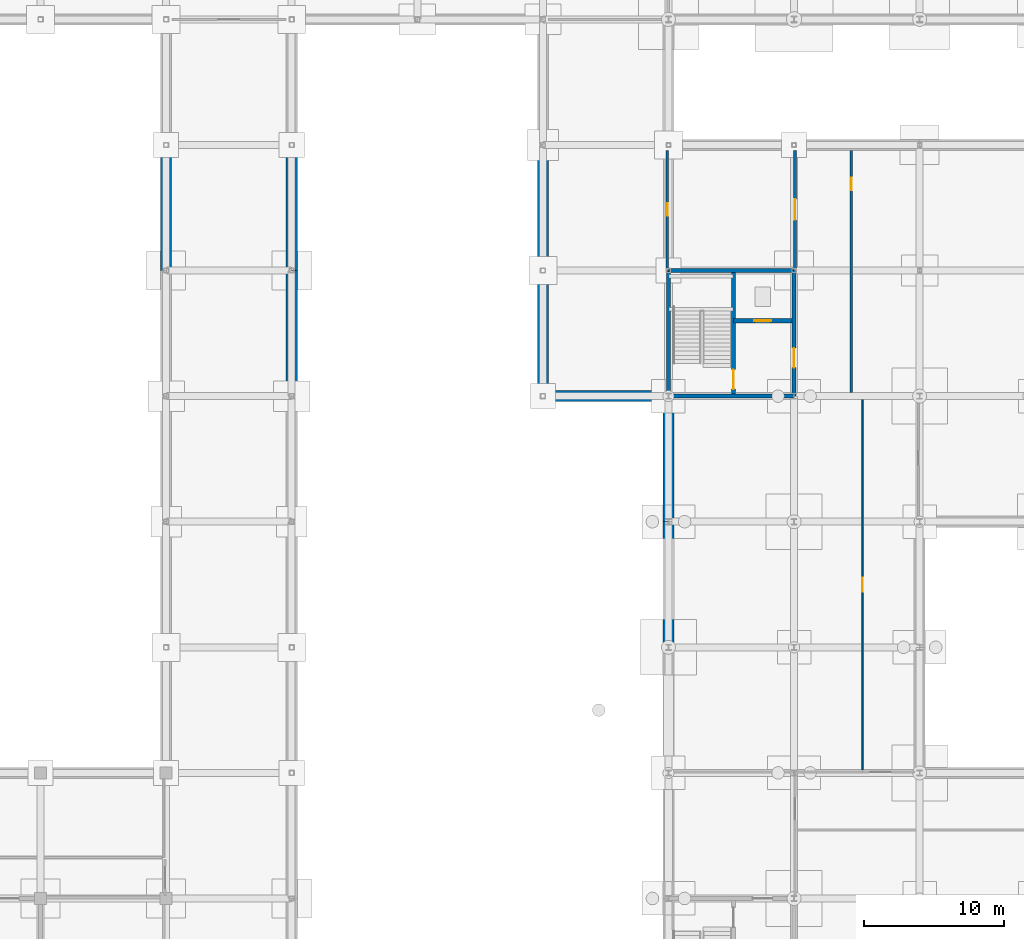
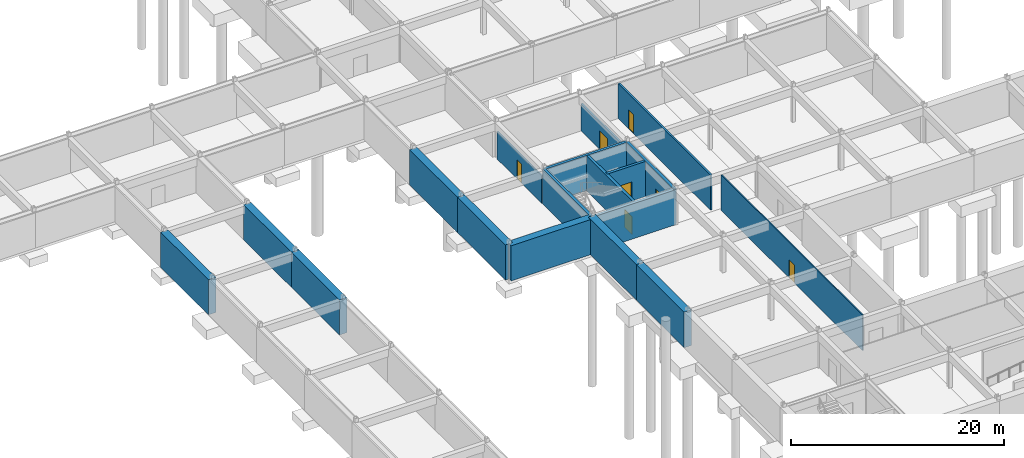
# One storey, part 27 of 41: 18 walls, 7 doors, 7 openings.
"""IFC4 building model written with IfcOpenShell, lengths in metres."""

from ifc_helpers import new_model, si_unit, direction, frame, frame_2d, origin, place, context, subcontext, project, spatial, rectangle, extrude, material, layer, layer_set, type_object, element, fill, save


model = new_model("IFC4")

# Units and contexts
model_context = context("Model", 3, precision=1e-05, world=origin(), true_north=direction((0.0, 1.0)))
body_context = subcontext(model_context, "Body", "Model", "MODEL_VIEW")
ifc_project = project(units=[si_unit("LENGTHUNIT", "METRE"), si_unit("AREAUNIT", "SQUARE_METRE"), si_unit("VOLUMEUNIT", "CUBIC_METRE"), si_unit("PLANEANGLEUNIT", "RADIAN"), si_unit("MASSUNIT", "GRAM", prefix="KILO")], contexts=[model_context])

# Site, building, storey
site_placement = place(None, origin())
site = spatial("IfcSite", under=ifc_project, at=site_placement, CompositionType="ELEMENT")
building_placement = place(site_placement, origin())
building = spatial("IfcBuilding", under=site, at=building_placement, Name="Palais des Congres Ocreval", CompositionType="ELEMENT")
storey_placement = place(building_placement, frame((0.0, 0.0, -8.9599609375)))
storey = spatial("IfcBuildingStorey", under=building, at=storey_placement, Name="B2", CompositionType="ELEMENT", Elevation=-8.9599609375)

# Wall, opening, door
ifc_material_1 = material(Name="Gypsum acoustic fire board")
ifc_layer_1 = layer(ifc_material_1, 0.199951171875)
ifc_layer_set_1 = layer_set([ifc_layer_1], Name="Compartment Fire Partition 200 Gypsum (Gypsum acoustic fire board)")
wall_type_1 = type_object("IfcWallType", Name="Compartment Fire Partition 200 Gypsum", PredefinedType="PARTITIONING", material=ifc_layer_set_1)
wall_1_placement = place(storey_placement, frame((117.06494140625, 54.155029296875, 0.0), z_axis=(0.0, 0.0, 1.0), x_axis=(0.0, 1.0, 0.0)))
wall_1 = element("IfcWall", 1, at=wall_1_placement, inside=storey, type_object=wall_type_1, Name="Interior Partition IW01 B2", PredefinedType="PARTITIONING", context=body_context, shape_type="SweptSolid", body=[
    extrude(rectangle(XDim=8.43994140625, YDim=0.199951171875, at=frame_2d((4.219970703125, 0.0))), origin(), (0.0, 0.0, 1.0), 3.1298828125),
])
opening_1_placement = place(wall_1_placement, frame((3.469970703125, 0.0, 0.0)))
opening_1 = element("IfcOpeningElement", 2, at=opening_1_placement, cuts=wall_1, Name="Opening D04", PredefinedType="OPENING", context=body_context, shape_type="SweptSolid", body=[
    extrude(rectangle(XDim=1.5, YDim=2.10009765625, at=frame_2d((0.75, 1.050048828125))), frame((0.0, 0.10986328125, 0.0), z_axis=(0.0, -1.0, 0.0), x_axis=(1.0, 0.0, 0.0)), (0.0, 0.0, 1.0), 0.219970703125),
])
ifc_material_2 = material(Name="Solid French oak fire door", Category="wood")
door_type_1 = type_object("IfcDoorType", Name="Corridor Compartment Double Door 1500x2100", OperationType="NOTDEFINED", PredefinedType="DOOR", material=ifc_material_2)
door_1_placement = place(opening_1_placement, origin())
door_1 = element("IfcDoor", 3, at=door_1_placement, inside=storey, type_object=door_type_1, Name="Interior Door D04 B2", OperationType="DOUBLE_DOOR_SINGLE_SWING", OverallHeight=2.10009765625, OverallWidth=1.5, PredefinedType="DOOR", context=body_context, shape_type="SweptSolid", body=[
    extrude(rectangle(XDim=1.5, YDim=2.10009765625, at=frame_2d((0.75, 1.050048828125))), frame((0.0, 0.02490234375, 0.0), z_axis=(0.0, -1.0, 0.0), x_axis=(1.0, 0.0, 0.0)), (0.0, 0.0, 1.0), 0.050048828125),
])
fill(opening_1, door_1)

wall_2_placement = place(storey_placement, frame((121.090087890625, 45.27001953125, 0.0), z_axis=(0.0, 0.0, 1.0), x_axis=(0.0, 1.0, 0.0)))
wall_2 = element("IfcWall", 4, at=wall_2_placement, inside=storey, type_object=wall_type_1, Name="Interior Partition IW01 B2", PredefinedType="PARTITIONING", context=body_context, shape_type="SweptSolid", body=[
    extrude(rectangle(XDim=17.324951171875, YDim=0.199951171875, at=frame_2d((8.66259765625, 0.0))), origin(), (0.0, 0.0, 1.0), 4.030029296875),
])
opening_2_placement = place(wall_2_placement, frame((14.47509765625, 0.0, 0.0)))
opening_2 = element("IfcOpeningElement", 5, at=opening_2_placement, cuts=wall_2, Name="Opening D11", PredefinedType="OPENING", context=body_context, shape_type="SweptSolid", body=[
    extrude(rectangle(XDim=0.89990234375, YDim=2.199951171875, at=frame_2d((0.449951171875, 1.10009765625))), frame((0.0, 0.10986328125, 0.0), z_axis=(0.0, -1.0, 0.0), x_axis=(1.0, 0.0, 0.0)), (0.0, 0.0, 1.0), 0.219970703125),
])
ifc_material_3 = material(Name="Solid French oak", Category="wood")
door_type_2 = type_object("IfcDoorType", Name="Spa Treatment Cabin Door 900x2200", OperationType="NOTDEFINED", PredefinedType="DOOR", material=ifc_material_3)
door_2_placement = place(opening_2_placement, origin())
door_2 = element("IfcDoor", 6, at=door_2_placement, inside=storey, type_object=door_type_2, Name="Interior Door D11 B2", OperationType="SINGLE_SWING_LEFT", OverallHeight=2.199951171875, OverallWidth=0.89990234375, PredefinedType="DOOR", context=body_context, shape_type="SweptSolid", body=[
    extrude(rectangle(XDim=0.89990234375, YDim=2.199951171875, at=frame_2d((0.449951171875, 1.10009765625))), frame((0.0, 0.02490234375, 0.0), z_axis=(0.0, -1.0, 0.0), x_axis=(1.0, 0.0, 0.0)), (0.0, 0.0, 1.0), 0.050048828125),
])
fill(opening_2, door_2)

# Wall
ifc_material_4 = material(Name="Concrete C40/50", Category="concrete")
ifc_layer_2 = layer(ifc_material_4, 0.300048828125)
ifc_layer_set_2 = layer_set([ifc_layer_2], Name="Core Shear Wall 300 Concrete C40/50")
wall_type_2 = type_object("IfcWallType", Name="Core Shear Wall 300 Concrete C40/50", PredefinedType="SHEAR", material=ifc_layer_set_2)
wall_3_placement = place(storey_placement, frame((108.0, 45.0, 0.0), z_axis=(0.0, 0.0, 1.0), x_axis=(1.0, 0.0, 0.0)))
element("IfcWall", 7, at=wall_3_placement, inside=storey, type_object=wall_type_2, Name="Core Shear Wall SC10 B2 S", PredefinedType="SHEAR", context=body_context, shape_type="SweptSolid", body=[
    extrude(rectangle(XDim=9.0, YDim=0.300048828125, at=frame_2d((4.5, 0.0))), origin(), (0.0, 0.0, 1.0), 4.030029296875),
])

# Wall, opening, door
wall_4_placement = place(storey_placement, frame((117.0, 45.0, 0.0), z_axis=(0.0, 0.0, 1.0), x_axis=(0.0, 1.0, 0.0)))
wall_4 = element("IfcWall", 8, at=wall_4_placement, inside=storey, type_object=wall_type_2, Name="Core Shear Wall SC10 B2 E", PredefinedType="SHEAR", context=body_context, shape_type="SweptSolid", body=[
    extrude(rectangle(XDim=9.0, YDim=0.300048828125, at=frame_2d((4.5, 0.0))), origin(), (0.0, 0.0, 1.0), 4.030029296875),
])
opening_3_placement = place(wall_4_placement, frame((2.050048828125, 0.0, 0.0)))
opening_3 = element("IfcOpeningElement", 9, at=opening_3_placement, cuts=wall_4, Name="Opening D03", PredefinedType="OPENING", context=body_context, shape_type="SweptSolid", body=[
    extrude(rectangle(XDim=1.39990234375, YDim=2.02001953125, at=frame_2d((0.699951171875, 1.010009765625))), frame((0.0, 0.159912109375, 0.0), z_axis=(0.0, -1.0, 0.0), x_axis=(1.0, 0.0, 0.0)), (0.0, 0.0, 1.0), 0.320068359375),
])
ifc_material_5 = material(Name="Painted fire-rated steel", Category="steel")
door_type_3 = type_object("IfcDoorType", Name="Core Lobby Rated Door 1400x2020", OperationType="NOTDEFINED", PredefinedType="DOOR", material=ifc_material_5)
door_3_placement = place(opening_3_placement, origin())
door_3 = element("IfcDoor", 10, at=door_3_placement, inside=storey, type_object=door_type_3, Name="Lobby Entrance Door SC10 B2", OperationType="DOUBLE_DOOR_SINGLE_SWING", OverallHeight=2.02001953125, OverallWidth=1.39990234375, PredefinedType="DOOR", context=body_context, shape_type="SweptSolid", body=[
    extrude(rectangle(XDim=1.39990234375, YDim=2.02001953125, at=frame_2d((0.699951171875, 1.010009765625))), frame((0.0, 0.02490234375, 0.0), z_axis=(0.0, -1.0, 0.0), x_axis=(1.0, 0.0, 0.0)), (0.0, 0.0, 1.0), 0.050048828125),
])
fill(opening_3, door_3)

# Walls
for number, where, z_axis, x_axis, name in (
    (11, (108.0, 54.0, 0.0), (0.0, 0.0, 1.0), (1.0, 0.0, 0.0), "Core Shear Wall SC10 B2 N"),
    (12, (108.0, 45.0, 0.0), (0.0, 0.0, 1.0), (0.0, 1.0, 0.0), "Core Shear Wall SC10 B2 W"),
):
    element("IfcWall", number, at=place(storey_placement, frame(where, z_axis=z_axis, x_axis=x_axis)), inside=storey, type_object=wall_type_2, Name=name, PredefinedType="SHEAR", context=body_context, shape_type="SweptSolid", body=[
        extrude(rectangle(XDim=9.0, YDim=0.300048828125, at=frame_2d((4.5, 0.0))), origin(), (0.0, 0.0, 1.0), 4.030029296875),
    ])

# Wall, opening, door
wall_5_placement = place(storey_placement, frame((112.64990234375, 45.14990234375, 0.0), z_axis=(0.0, 0.0, 1.0), x_axis=(0.0, 1.0, 0.0)))
wall_5 = element("IfcWall", 13, at=wall_5_placement, inside=storey, type_object=wall_type_2, Name="Core Spine Shear Wall SC10 B2", PredefinedType="SHEAR", context=body_context, shape_type="SweptSolid", body=[
    extrude(rectangle(XDim=8.7001953125, YDim=0.300048828125, at=frame_2d((4.35009765625, 0.0))), origin(), (0.0, 0.0, 1.0), 4.030029296875),
])
opening_4_placement = place(wall_5_placement, frame((0.35009765625, 0.0, 0.0)))
opening_4 = element("IfcOpeningElement", 14, at=opening_4_placement, cuts=wall_5, Name="Opening D03", PredefinedType="OPENING", context=body_context, shape_type="SweptSolid", body=[
    extrude(rectangle(XDim=1.39990234375, YDim=2.02001953125, at=frame_2d((0.699951171875, 1.010009765625))), frame((0.0, 0.159912109375, 0.0), z_axis=(0.0, -1.0, 0.0), x_axis=(1.0, 0.0, 0.0)), (0.0, 0.0, 1.0), 0.320068359375),
])
door_4_placement = place(opening_4_placement, origin())
door_4 = element("IfcDoor", 15, at=door_4_placement, inside=storey, type_object=door_type_3, Name="Protected Exit Stair Door ST10 B2", OperationType="SINGLE_SWING_RIGHT", OverallHeight=2.02001953125, OverallWidth=1.39990234375, PredefinedType="DOOR", context=body_context, shape_type="SweptSolid", body=[
    extrude(rectangle(XDim=1.39990234375, YDim=2.02001953125, at=frame_2d((0.699951171875, 1.010009765625))), frame((0.0, 0.02490234375, 0.0), z_axis=(0.0, -1.0, 0.0), x_axis=(1.0, 0.0, 0.0)), (0.0, 0.0, 1.0), 0.050048828125),
])
fill(opening_4, door_4)

wall_6_placement = place(storey_placement, frame((112.64990234375, 50.39990234375, 0.0), z_axis=(0.0, 0.0, 1.0), x_axis=(1.0, 0.0, 0.0)))
wall_6 = element("IfcWall", 16, at=wall_6_placement, inside=storey, type_object=wall_type_2, Name="Lift Shaft Front Wall SC10 B2", PredefinedType="SHEAR", context=body_context, shape_type="SweptSolid", body=[
    extrude(rectangle(XDim=4.2001953125, YDim=0.300048828125, at=frame_2d((2.10009765625, 0.0))), origin(), (0.0, 0.0, 1.0), 4.030029296875),
])
opening_5_placement = place(wall_6_placement, frame((1.5, 0.0, 0.0)))
opening_5 = element("IfcOpeningElement", 17, at=opening_5_placement, cuts=wall_6, Name="Opening LD02", PredefinedType="OPENING", context=body_context, shape_type="SweptSolid", body=[
    extrude(rectangle(XDim=1.199951171875, YDim=2.199951171875, at=frame_2d((0.60009765625, 1.10009765625))), frame((0.0, 0.159912109375, 0.0), z_axis=(0.0, -1.0, 0.0), x_axis=(1.0, 0.0, 0.0)), (0.0, 0.0, 1.0), 0.320068359375),
])
ifc_material_6 = material(Name="Anodized bronze steel", Category="steel")
door_type_4 = type_object("IfcDoorType", Name="Passenger and Service Lift Sliding Door 1200x2200", OperationType="NOTDEFINED", PredefinedType="DOOR", material=ifc_material_6)
door_5_placement = place(opening_5_placement, origin())
door_5 = element("IfcDoor", 18, at=door_5_placement, inside=storey, type_object=door_type_4, Name="Lift Landing Sliding Door SL1 B2", OperationType="DOUBLE_DOOR_SLIDING", OverallHeight=2.199951171875, OverallWidth=1.199951171875, PredefinedType="DOOR", context=body_context, shape_type="SweptSolid", body=[
    extrude(rectangle(XDim=1.199951171875, YDim=2.199951171875, at=frame_2d((0.60009765625, 1.10009765625))), frame((0.0, 0.02490234375, 0.0), z_axis=(0.0, -1.0, 0.0), x_axis=(1.0, 0.0, 0.0)), (0.0, 0.0, 1.0), 0.050048828125),
])
fill(opening_5, door_5)

ifc_material_7 = material(Name="Gypsum acoustic partition")
ifc_layer_3 = layer(ifc_material_7, 0.159912109375)
ifc_layer_set_3 = layer_set([ifc_layer_3], Name="Corridor Fire Partition 160 Gypsum (Gypsum acoustic partition)")
wall_type_3 = type_object("IfcWallType", Name="Corridor Fire Partition 160 Gypsum", PredefinedType="PARTITIONING", material=ifc_layer_set_3)
wall_7_placement = place(storey_placement, frame((107.909912109375, 54.155029296875, 0.0), z_axis=(0.0, 0.0, 1.0), x_axis=(0.0, 1.0, 0.0)))
wall_7 = element("IfcWall", 19, at=wall_7_placement, inside=storey, type_object=wall_type_3, Name="Interior Partition IW03 B2", PredefinedType="PARTITIONING", context=body_context, shape_type="SweptSolid", body=[
    extrude(rectangle(XDim=8.43994140625, YDim=0.159912109375, at=frame_2d((4.219970703125, 0.0))), origin(), (0.0, 0.0, 1.0), 3.1298828125),
])
opening_6_placement = place(wall_7_placement, frame((3.77001953125, 0.0, 0.0)))
opening_6 = element("IfcOpeningElement", 20, at=opening_6_placement, cuts=wall_7, Name="Opening D11", PredefinedType="OPENING", context=body_context, shape_type="SweptSolid", body=[
    extrude(rectangle(XDim=0.89990234375, YDim=2.199951171875, at=frame_2d((0.449951171875, 1.10009765625))), frame((0.0, 0.08984375, 0.0), z_axis=(0.0, -1.0, 0.0), x_axis=(1.0, 0.0, 0.0)), (0.0, 0.0, 1.0), 0.179931640625),
])
door_6_placement = place(opening_6_placement, origin())
door_6 = element("IfcDoor", 21, at=door_6_placement, inside=storey, type_object=door_type_2, Name="Interior Door D11 B2", OperationType="SINGLE_SWING_RIGHT", OverallHeight=2.199951171875, OverallWidth=0.89990234375, PredefinedType="DOOR", context=body_context, shape_type="SweptSolid", body=[
    extrude(rectangle(XDim=0.89990234375, YDim=2.199951171875, at=frame_2d((0.449951171875, 1.10009765625))), frame((0.0, 0.02490234375, 0.0), z_axis=(0.0, -1.0, 0.0), x_axis=(1.0, 0.0, 0.0)), (0.0, 0.0, 1.0), 0.050048828125),
])
fill(opening_6, door_6)

# Walls
ifc_material_8 = material(Name="Concrete C35/45", Category="concrete")
ifc_layer_4 = layer(ifc_material_8, 0.800048828125)
ifc_layer_set_4 = layer_set([ifc_layer_4], Name="Retaining Diaphragm Wall 800 Concrete C35/45")
wall_type_4 = type_object("IfcWallType", Name="Retaining Diaphragm Wall 800 Concrete C35/45", PredefinedType="USERDEFINED", material=ifc_layer_set_4)
for number, where, z_axis, x_axis, name in (
    (22, (108.0, 27.0, 0.0), (0.0, 0.0, 1.0), (0.0, 1.0, 0.0), "Basement Diaphragm Wall RW01 B2"),
    (23, (108.0, 36.0, 0.0), (0.0, 0.0, 1.0), (0.0, 1.0, 0.0), "Basement Diaphragm Wall RW01 B2"),
):
    element("IfcWall", number, at=place(storey_placement, frame(where, z_axis=z_axis, x_axis=x_axis)), inside=storey, type_object=wall_type_4, Name=name, ObjectType="RETAININGWALL", PredefinedType="USERDEFINED", context=body_context, shape_type="SweptSolid", body=[
        extrude(rectangle(XDim=9.0, YDim=0.800048828125, at=frame_2d((4.5, 0.0))), origin(), (0.0, 0.0, 1.0), 4.080078125),
    ])
for number, where, z_axis, x_axis, name in (
    (24, (108.0, 45.0, 0.0), (0.0, 0.0, 1.0), (-1.0, 0.0, 0.0), "Basement Diaphragm Wall RW01 B2"),
    (25, (99.0, 45.0, 0.0), (0.0, 0.0, 1.0), (0.0, 1.0, 0.0), "Basement Diaphragm Wall RW01 B2"),
    (26, (99.0, 54.0, 0.0), (0.0, 0.0, 1.0), (0.0, 1.0, 0.0), "Basement Diaphragm Wall RW01 B2"),
    (27, (81.0, 63.0, 0.0), (0.0, 0.0, 1.0), (0.0, -1.0, 0.0), "Basement Diaphragm Wall RW01 B2"),
    (28, (81.0, 54.0, 0.0), (0.0, 0.0, 1.0), (0.0, -1.0, 0.0), "Basement Diaphragm Wall RW01 B2"),
    (29, (72.0, 54.0, 0.0), (0.0, 0.0, 1.0), (0.0, 1.0, 0.0), "Basement Diaphragm Wall RW01 B2"),
):
    element("IfcWall", number, at=place(storey_placement, frame(where, z_axis=z_axis, x_axis=x_axis)), inside=storey, type_object=wall_type_4, Name=name, ObjectType="RETAININGWALL", PredefinedType="USERDEFINED", context=body_context, shape_type="SweptSolid", body=[
        extrude(rectangle(XDim=9.0, YDim=0.800048828125, at=frame_2d((4.5, 0.0))), origin(), (0.0, 0.0, 1.0), 4.030029296875),
    ])

# Wall, opening, door
ifc_material_9 = material(Name="Gypsum board partition")
ifc_layer_5 = layer(ifc_material_9, 0.1201171875)
ifc_layer_set_5 = layer_set([ifc_layer_5], Name="Suite Subdivision Partition 120 Gypsum (Gypsum board partition)")
wall_type_5 = type_object("IfcWallType", Name="Suite Subdivision Partition 120 Gypsum", PredefinedType="PARTITIONING", material=ifc_layer_set_5)
wall_8_placement = place(storey_placement, frame((121.909912109375, 18.219970703125, 0.0), z_axis=(0.0, 0.0, 1.0), x_axis=(0.0, 1.0, 0.0)))
wall_8 = element("IfcWall", 30, at=wall_8_placement, inside=storey, type_object=wall_type_5, Name="Interior Partition IW04 B2", PredefinedType="PARTITIONING", context=body_context, shape_type="SweptSolid", body=[
    extrude(rectangle(XDim=26.510009765625, YDim=0.1201171875, at=frame_2d((13.2548828125, 0.0))), origin(), (0.0, 0.0, 1.0), 4.080078125),
])
opening_7_placement = place(wall_8_placement, frame((12.7548828125, 0.0, 0.0)))
opening_7 = element("IfcOpeningElement", 31, at=opening_7_placement, cuts=wall_8, Name="Opening D10", PredefinedType="OPENING", context=body_context, shape_type="SweptSolid", body=[
    extrude(rectangle(XDim=1.0, YDim=2.10009765625, at=frame_2d((0.5, 1.050048828125))), frame((0.0, 0.070068359375, 0.0), z_axis=(0.0, -1.0, 0.0), x_axis=(1.0, 0.0, 0.0)), (0.0, 0.0, 1.0), 0.14013671875),
])
ifc_material_10 = material(Name="Painted steel", Category="steel")
door_type_5 = type_object("IfcDoorType", Name="Service and Pantry Door 1000x2100", OperationType="NOTDEFINED", PredefinedType="DOOR", material=ifc_material_10)
door_7_placement = place(opening_7_placement, origin())
door_7 = element("IfcDoor", 32, at=door_7_placement, inside=storey, type_object=door_type_5, Name="Interior Door D10 B2", OperationType="SINGLE_SWING_LEFT", OverallHeight=2.10009765625, OverallWidth=1.0, PredefinedType="DOOR", context=body_context, shape_type="SweptSolid", body=[
    extrude(rectangle(XDim=1.0, YDim=2.10009765625, at=frame_2d((0.5, 1.050048828125))), frame((0.0, 0.02490234375, 0.0), z_axis=(0.0, -1.0, 0.0), x_axis=(1.0, 0.0, 0.0)), (0.0, 0.0, 1.0), 0.050048828125),
])
fill(opening_7, door_7)

save(model, "model.ifc")
